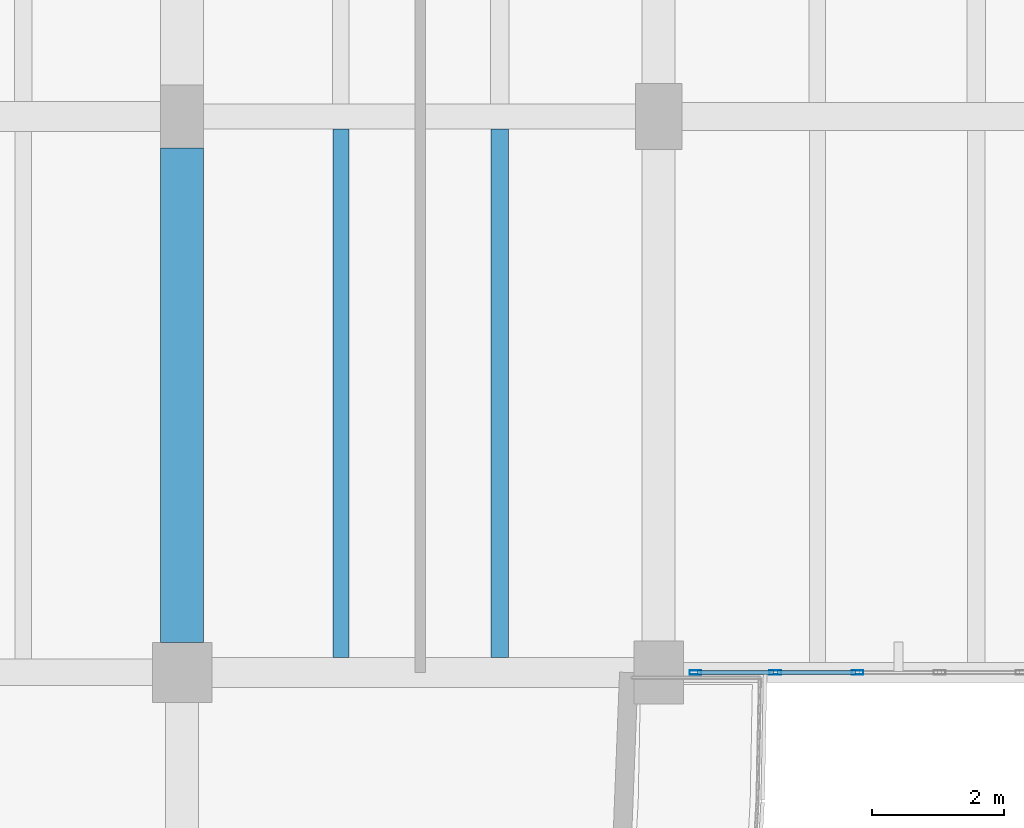
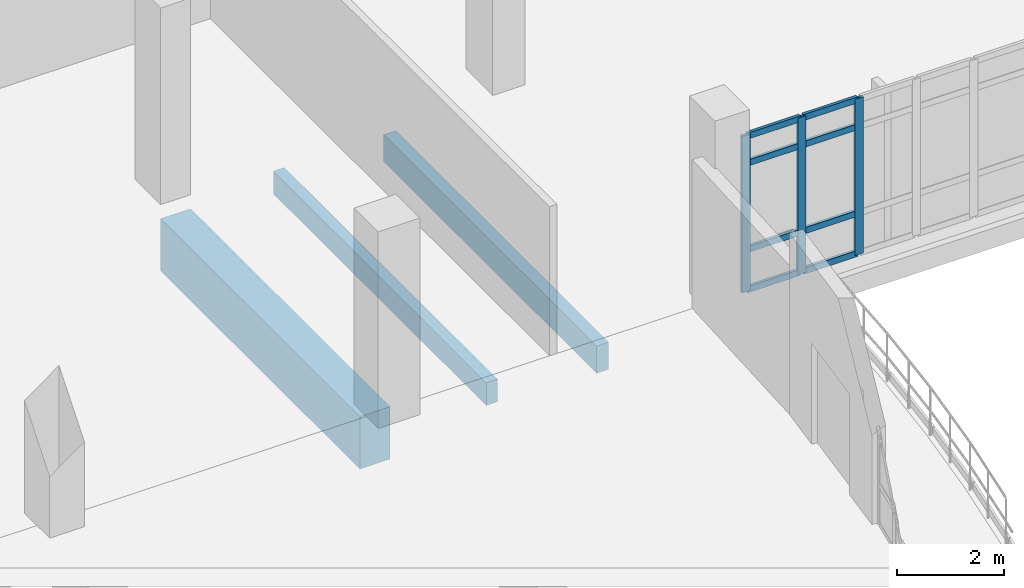
# One storey, part 63 of 134: 11 members, 3 beams, 1 element without a shape of its own.
"""IFC4 building model written with IfcOpenShell, lengths in metres."""

from ifc_helpers import new_model, si_unit, direction, frame, origin, origin_2d, place, context, subcontext, project, spatial, rectangle, hollow_rectangle, extrude, material, material_profile, profile_set, type_object, element, aggregate, save


model = new_model("IFC4")

# Units and contexts
model_context = context("Model", 3, precision=1e-05, world=origin(), true_north=direction((0.0, 1.0)))
body_context = subcontext(model_context, "Body", "Model", "MODEL_VIEW")
ifc_project = project(units=[si_unit("LENGTHUNIT", "METRE"), si_unit("AREAUNIT", "SQUARE_METRE"), si_unit("VOLUMEUNIT", "CUBIC_METRE"), si_unit("PLANEANGLEUNIT", "RADIAN"), si_unit("MASSUNIT", "GRAM", prefix="KILO")], contexts=[model_context])

# Site, building, storey
site_placement = place(None, origin())
site = spatial("IfcSite", under=ifc_project, at=site_placement, CompositionType="ELEMENT")
building_placement = place(site_placement, origin())
building = spatial("IfcBuilding", under=site, at=building_placement, Name="Kalluvel Institute of Natural Sciences", CompositionType="ELEMENT")
storey_placement = place(building_placement, frame((0.0, 0.0, 5.39990234375)))
storey = spatial("IfcBuildingStorey", under=building, at=storey_placement, Name="L01", CompositionType="ELEMENT", Elevation=5.39990234375)

# Beam
ifc_material_1 = material(Name="Concrete M50", Category="concrete")
ifc_material_profile_1 = material_profile(ifc_material_1, rectangle(XDim=0.64990234375, YDim=1.199951171875, at=origin_2d()), Name="RCB 650x1200")
ifc_profile_set_1 = profile_set([ifc_material_profile_1], Name="Concrete M50")
beam_type_1 = type_object("IfcBeamType", Name="BM-RC650x1200", PredefinedType="BEAM", material=ifc_profile_set_1)
beam_1_placement = place(storey_placement, frame((78.800048828125, 103.25, -0.919921875), z_axis=(0.0, 1.0, 0.0), x_axis=(-1.0, 0.0, 0.0)))
element("IfcBeam", 1, at=beam_1_placement, inside=storey, type_object=beam_type_1, Name="L01 girder GIR-L01-NS-X788-Y1028", PredefinedType="BEAM", context=body_context, shape_type="SweptSolid", body=[
    extrude(rectangle(XDim=0.64990234375, YDim=1.199951171875, at=origin_2d()), origin(), (0.0, 0.0, 1.0), 7.47509765625),
])

# Curtain wall, members
ifc_material_2 = material(Name="Aluminium AW-6063 T6", Category="aluminium")
curtain_wall_type = type_object("IfcCurtainWallType", Name="CW-WET-45", PredefinedType="USERDEFINED", material=ifc_material_2)
curtain_wall_placement = place(storey_placement, origin())
curtain_wall = element("IfcCurtainWall", 2, at=curtain_wall_placement, inside=storey, type_object=curtain_wall_type, Name="L01 Gothic lancet curtain wall CWA-L01-X865-Y1028", ObjectType="UNITISED LANCET FACADE", PredefinedType="USERDEFINED")
ifc_material_profile_2 = material_profile(ifc_material_2, hollow_rectangle(XDim=0.06494140625, YDim=0.179931640625, WallThickness=0.00439453125, at=origin_2d()), Name="CWM 65x180")
ifc_profile_set_2 = profile_set([ifc_material_profile_2], Name="Aluminium AW-6063 T6")
member_type_1 = type_object("IfcMemberType", Name="CWM-65x180", PredefinedType="MULLION", material=ifc_profile_set_2)
member_1_placement = place(storey_placement, frame((86.5576171875, 102.800048828125, 0.0), z_axis=(0.0, 0.0, 1.0), x_axis=(0.0, 1.0, 0.0)))
member_1 = element("IfcMember", 3, at=member_1_placement, type_object=member_type_1, Name="CW-01 mullion 1", PredefinedType="MULLION", context=body_context, shape_type="SweptSolid", body=[
    extrude(hollow_rectangle(XDim=0.06494140625, YDim=0.179931640625, WallThickness=0.00439453125, at=origin_2d()), origin(), (0.0, 0.0, 1.0), 3.580078125),
])
member_2_placement = place(storey_placement, frame((87.764892578125, 102.800048828125, 0.0), z_axis=(0.0, 0.0, 1.0), x_axis=(0.0, 1.0, 0.0)))
member_2 = element("IfcMember", 4, at=member_2_placement, type_object=member_type_1, Name="CW-01 mullion 2", PredefinedType="MULLION", context=body_context, shape_type="SweptSolid", body=[
    extrude(hollow_rectangle(XDim=0.06494140625, YDim=0.179931640625, WallThickness=0.00439453125, at=origin_2d()), origin(), (0.0, 0.0, 1.0), 3.580078125),
])
member_3_placement = place(storey_placement, frame((89.0048828125, 102.800048828125, 0.0), z_axis=(0.0, 0.0, 1.0), x_axis=(0.0, 1.0, 0.0)))
member_3 = element("IfcMember", 5, at=member_3_placement, type_object=member_type_1, Name="CW-01 mullion 3", PredefinedType="MULLION", context=body_context, shape_type="SweptSolid", body=[
    extrude(hollow_rectangle(XDim=0.06494140625, YDim=0.179931640625, WallThickness=0.00439453125, at=origin_2d()), origin(), (0.0, 0.0, 1.0), 3.580078125),
])
ifc_material_profile_3 = material_profile(ifc_material_2, hollow_rectangle(XDim=0.06494140625, YDim=0.139892578125, WallThickness=0.00439453125, at=origin_2d()), Name="CWT 65x140")
ifc_profile_set_3 = profile_set([ifc_material_profile_3], Name="Aluminium AW-6063 T6")
member_type_2 = type_object("IfcMemberType", Name="CWT-65x140", PredefinedType="USERDEFINED", material=ifc_profile_set_3)
member_4_placement = place(storey_placement, frame((86.590087890625, 102.800048828125, 0.03271484375), z_axis=(1.0, 0.0, 0.0), x_axis=(0.0, 1.0, 0.0)))
member_4 = element("IfcMember", 6, at=member_4_placement, type_object=member_type_2, Name="CW-01 transom 1.1", ObjectType="TRANSOM", PredefinedType="USERDEFINED", context=body_context, shape_type="SweptSolid", body=[
    extrude(hollow_rectangle(XDim=0.06494140625, YDim=0.139892578125, WallThickness=0.00439453125, at=origin_2d()), origin(), (0.0, 0.0, 1.0), 1.142333984375),
])
member_5_placement = place(storey_placement, frame((86.590087890625, 102.800048828125, 0.9501953125), z_axis=(1.0, 0.0, 0.0), x_axis=(0.0, 1.0, 0.0)))
member_5 = element("IfcMember", 7, at=member_5_placement, type_object=member_type_2, Name="CW-01 transom 1.2", ObjectType="TRANSOM", PredefinedType="USERDEFINED", context=body_context, shape_type="SweptSolid", body=[
    extrude(hollow_rectangle(XDim=0.06494140625, YDim=0.139892578125, WallThickness=0.00439453125, at=origin_2d()), origin(), (0.0, 0.0, 1.0), 1.142333984375),
])
member_6_placement = place(storey_placement, frame((86.590087890625, 102.800048828125, 2.93017578125), z_axis=(1.0, 0.0, 0.0), x_axis=(0.0, 1.0, 0.0)))
member_6 = element("IfcMember", 8, at=member_6_placement, type_object=member_type_2, Name="CW-01 transom 1.3", ObjectType="TRANSOM", PredefinedType="USERDEFINED", context=body_context, shape_type="SweptSolid", body=[
    extrude(hollow_rectangle(XDim=0.06494140625, YDim=0.139892578125, WallThickness=0.00439453125, at=origin_2d()), origin(), (0.0, 0.0, 1.0), 1.142333984375),
])
member_7_placement = place(storey_placement, frame((86.590087890625, 102.800048828125, 3.547607421875), z_axis=(1.0, 0.0, 0.0), x_axis=(0.0, 1.0, 0.0)))
member_7 = element("IfcMember", 9, at=member_7_placement, type_object=member_type_2, Name="CW-01 transom 1.4", ObjectType="TRANSOM", PredefinedType="USERDEFINED", context=body_context, shape_type="SweptSolid", body=[
    extrude(hollow_rectangle(XDim=0.06494140625, YDim=0.139892578125, WallThickness=0.00439453125, at=origin_2d()), origin(), (0.0, 0.0, 1.0), 1.142333984375),
])
member_8_placement = place(storey_placement, frame((87.797607421875, 102.800048828125, 0.03271484375), z_axis=(1.0, 0.0, 0.0), x_axis=(0.0, 1.0, 0.0)))
member_8 = element("IfcMember", 10, at=member_8_placement, type_object=member_type_2, Name="CW-01 transom 2.1", ObjectType="TRANSOM", PredefinedType="USERDEFINED", context=body_context, shape_type="SweptSolid", body=[
    extrude(hollow_rectangle(XDim=0.06494140625, YDim=0.139892578125, WallThickness=0.00439453125, at=origin_2d()), origin(), (0.0, 0.0, 1.0), 1.1748046875),
])
member_9_placement = place(storey_placement, frame((87.797607421875, 102.800048828125, 0.9501953125), z_axis=(1.0, 0.0, 0.0), x_axis=(0.0, 1.0, 0.0)))
member_9 = element("IfcMember", 11, at=member_9_placement, type_object=member_type_2, Name="CW-01 transom 2.2", ObjectType="TRANSOM", PredefinedType="USERDEFINED", context=body_context, shape_type="SweptSolid", body=[
    extrude(hollow_rectangle(XDim=0.06494140625, YDim=0.139892578125, WallThickness=0.00439453125, at=origin_2d()), origin(), (0.0, 0.0, 1.0), 1.1748046875),
])
member_10_placement = place(storey_placement, frame((87.797607421875, 102.800048828125, 2.93017578125), z_axis=(1.0, 0.0, 0.0), x_axis=(0.0, 1.0, 0.0)))
member_10 = element("IfcMember", 12, at=member_10_placement, type_object=member_type_2, Name="CW-01 transom 2.3", ObjectType="TRANSOM", PredefinedType="USERDEFINED", context=body_context, shape_type="SweptSolid", body=[
    extrude(hollow_rectangle(XDim=0.06494140625, YDim=0.139892578125, WallThickness=0.00439453125, at=origin_2d()), origin(), (0.0, 0.0, 1.0), 1.1748046875),
])
member_11_placement = place(storey_placement, frame((87.797607421875, 102.800048828125, 3.547607421875), z_axis=(1.0, 0.0, 0.0), x_axis=(0.0, 1.0, 0.0)))
member_11 = element("IfcMember", 13, at=member_11_placement, type_object=member_type_2, Name="CW-01 transom 2.4", ObjectType="TRANSOM", PredefinedType="USERDEFINED", context=body_context, shape_type="SweptSolid", body=[
    extrude(hollow_rectangle(XDim=0.06494140625, YDim=0.139892578125, WallThickness=0.00439453125, at=origin_2d()), origin(), (0.0, 0.0, 1.0), 1.1748046875),
])
aggregate(curtain_wall, [member_1, member_2, member_3, member_4, member_5, member_6, member_7, member_8, member_9, member_10, member_11])

# Beams
ifc_material_3 = material(Name="Concrete M40", Category="concrete")
ifc_material_profile_4 = material_profile(ifc_material_3, rectangle(XDim=0.239990234375, YDim=0.52001953125, at=origin_2d()), Name="WAF 240x520")
ifc_profile_set_4 = profile_set([ifc_material_profile_4], Name="Concrete M40")
beam_type_2 = type_object("IfcBeamType", Name="WJ-240x520", PredefinedType="JOIST", material=ifc_profile_set_4)
beam_2_placement = place(storey_placement, frame((81.199951171875, 103.02490234375, -0.579833984375), z_axis=(0.0, 1.0, 0.0), x_axis=(-1.0, 0.0, 0.0)))
element("IfcBeam", 14, at=beam_2_placement, inside=storey, type_object=beam_type_2, Name="L01 waffle joist RIB-L01-0113", PredefinedType="JOIST", context=body_context, shape_type="SweptSolid", body=[
    extrude(rectangle(XDim=0.239990234375, YDim=0.52001953125, at=origin_2d()), origin(), (0.0, 0.0, 1.0), 7.985107421875),
])
ifc_material_profile_5 = material_profile(ifc_material_1, rectangle(XDim=0.260009765625, YDim=0.6201171875, at=origin_2d()), Name="WAF 260x620")
ifc_profile_set_5 = profile_set([ifc_material_profile_5], Name="Concrete M50")
beam_type_3 = type_object("IfcBeamType", Name="WJ-260x620", PredefinedType="JOIST", material=ifc_profile_set_5)
beam_3_placement = place(storey_placement, frame((83.60009765625, 103.02490234375, -0.6298828125), z_axis=(0.0, 1.0, 0.0), x_axis=(-1.0, 0.0, 0.0)))
element("IfcBeam", 15, at=beam_3_placement, inside=storey, type_object=beam_type_3, Name="L01 waffle joist RIB-L01-0114", PredefinedType="JOIST", context=body_context, shape_type="SweptSolid", body=[
    extrude(rectangle(XDim=0.260009765625, YDim=0.6201171875, at=origin_2d()), origin(), (0.0, 0.0, 1.0), 7.985107421875),
])

save(model, "model.ifc")
